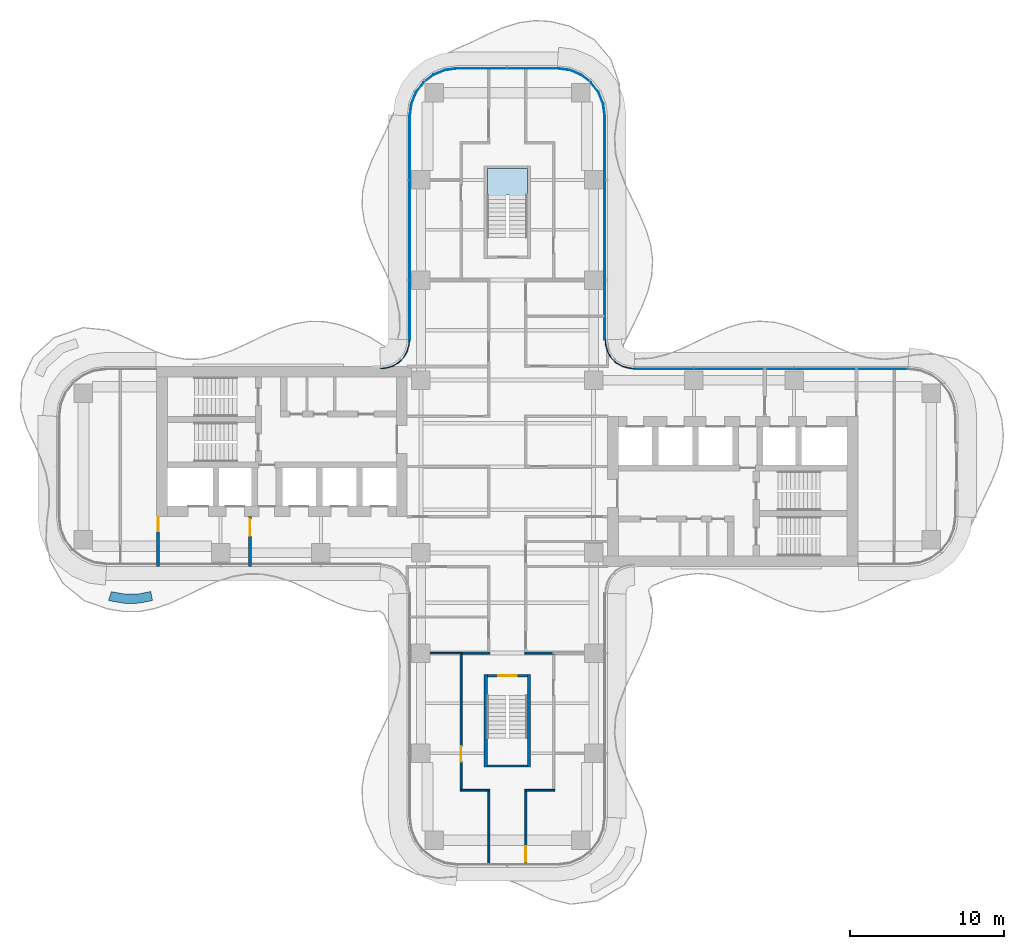
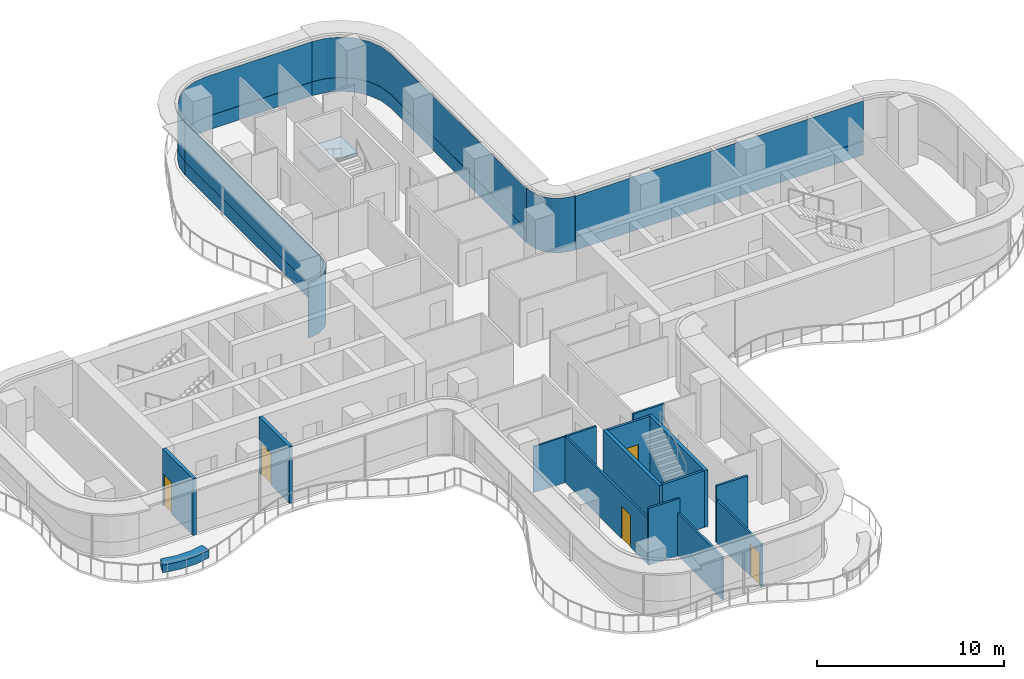
# One storey, part 11 of 17: 15 walls, 10 plates, 5 doors, 1 slab, 5 openings, 7 elements without a shape of their own.
"""IFC4 building model written with IfcOpenShell, lengths in metres."""

from ifc_helpers import new_model, si_unit, direction, frame, frame_2d, origin, place, context, subcontext, project, spatial, polyline, rectangle, outline, extrude, source, transform, mapped, material, layer, layer_set, type_object, element, fill, aggregate, save


model = new_model("IFC4")

# Units and contexts
model_context = context("Model", 3, precision=1e-05, world=origin(), true_north=direction((0.0, 1.0)))
body_context = subcontext(model_context, "Body", "Model", "MODEL_VIEW")
ifc_project = project(units=[si_unit("LENGTHUNIT", "METRE"), si_unit("AREAUNIT", "SQUARE_METRE"), si_unit("VOLUMEUNIT", "CUBIC_METRE"), si_unit("PLANEANGLEUNIT", "RADIAN"), si_unit("MASSUNIT", "GRAM", prefix="KILO")], contexts=[model_context])

# Site, building, storey
site_placement = place(None, origin())
site = spatial("IfcSite", under=ifc_project, at=site_placement, CompositionType="ELEMENT")
building_placement = place(site_placement, origin())
building = spatial("IfcBuilding", under=site, at=building_placement, Name="Trellis Farm Tower", CompositionType="ELEMENT")
storey_placement = place(building_placement, frame((0.0, 0.0, 181.5)))
storey = spatial("IfcBuildingStorey", under=building, at=storey_placement, Name="L39", CompositionType="ELEMENT", Elevation=181.5)

# Stair, slab
ifc_material_1 = material(Name="Concrete C50/60", Category="concrete")
stair_type = type_object("IfcStairType", Name="CORE EXIT STAIR 22 RISERS 177 MM", PredefinedType="HALF_TURN_STAIR", material=ifc_material_1)
placement_1 = place(storey_placement, origin())
stair = element("IfcStair", 1, at=placement_1, inside=storey, type_object=stair_type, Name="Exit stair N", PredefinedType="HALF_TURN_STAIR")
ifc_layer_1 = layer(ifc_material_1, 0.18994140625)
ifc_layer_set_1 = layer_set([ifc_layer_1], Name="CORE STAIR LANDING 190 CONCRETE C50/60")
slab_type = type_object("IfcSlabType", Name="CORE STAIR LANDING 190 CONCRETE C50/60", PredefinedType="LANDING", material=ifc_layer_set_1)
shared_shape_1 = source(origin(), body_context, "Body", "SweptSolid", [
    extrude(outline(polyline([(-0.10009765625, 17.27197265625), (-1.300048828125, 17.27197265625), (-1.300048828125, 17.60009765625), (-1.300048828125, 19.35009765625), (1.300048828125, 19.35009765625), (1.300048828125, 17.60009765625), (1.300048828125, 17.590087890625), (0.10009765625, 17.590087890625), (0.10009765625, 17.60009765625), (-0.10009765625, 17.60009765625), (-0.10009765625, 17.27197265625)])), origin(), (0.0, 0.0, 1.0), 0.18994140625),
])
slab_placement = place(storey_placement, frame((0.0, 0.0, 1.760009765625)))
slab = element("IfcSlab", 2, at=slab_placement, type_object=slab_type, Name="STN landing 1", PredefinedType="LANDING", context=body_context, shape_type="MappedRepresentation", body=[
    mapped(shared_shape_1, transform((0.0, 0.0, 0.0))),
])
aggregate(stair, [slab])

# Curtain wall, plate
ifc_material_2 = material(Name="Aluminium and glass curtain wall", Category="aluminium")
ifc_layer_2 = layer(ifc_material_2, 0.18994140625)
ifc_layer_set_2 = layer_set([ifc_layer_2], Name="RIBBON CURTAIN WALL CW1")
curtain_wall_type_1 = type_object("IfcCurtainWallType", Name="RIBBON CURTAIN WALL CW1", PredefinedType="NOTDEFINED", material=ifc_layer_set_2)
curtain_wall_1 = element("IfcCurtainWall", 3, at=placement_1, inside=storey, type_object=curtain_wall_type_1, Name="CW1 009", PredefinedType="NOTDEFINED")
ifc_material_3 = material(Name="Sandstone faced insulated panel", Category="masonry")
ifc_layer_3 = layer(ifc_material_3, 0.050048828125)
ifc_layer_set_3 = layer_set([ifc_layer_3], Name="CW1 STONE SPANDREL PANEL 50")
plate_type_1 = type_object("IfcPlateType", Name="CW1 STONE SPANDREL PANEL 50", PredefinedType="CURTAIN_PANEL", material=ifc_layer_set_3)
shared_shape_2 = source(origin(), body_context, "Body", "SweptSolid", [
    extrude(outline(polyline([(6.35009765625, 8.2265625), (6.35009765625, 22.740234375), (6.2431640625, 23.552001953125), (5.93359375, 24.29931640625), (5.441162109375, 24.941162109375), (4.79931640625, 25.43359375), (4.052001953125, 25.7431640625), (3.240234375, 25.85009765625), (3.23681640625, 25.800048828125), (4.0390625, 25.6943359375), (4.774169921875, 25.389892578125), (5.405517578125, 24.905517578125), (5.889892578125, 24.274169921875), (6.1943359375, 23.5390625), (6.300048828125, 22.73681640625), (6.300048828125, 8.224853515625), (6.35009765625, 8.2265625)])), origin(), (0.0, 0.0, 1.0), 0.89990234375),
])
plate_1 = element("IfcPlate", 4, at=placement_1, type_object=plate_type_1, Name="PS1 009", PredefinedType="CURTAIN_PANEL", context=body_context, shape_type="MappedRepresentation", body=[
    mapped(shared_shape_2, transform((0.0, 0.0, 0.0))),
])

curtain_wall_2 = element("IfcCurtainWall", 5, at=placement_1, inside=storey, type_object=curtain_wall_type_1, Name="CW1 011", PredefinedType="NOTDEFINED")
shared_shape_3 = source(origin(), body_context, "Body", "SweptSolid", [
    extrude(outline(polyline([(-6.35009765625, 22.740234375), (-6.35009765625, 8.2265625), (-6.300048828125, 8.224853515625), (-6.300048828125, 22.73681640625), (-6.35009765625, 22.740234375)])), origin(), (0.0, 0.0, 1.0), 0.89990234375),
])
plate_2 = element("IfcPlate", 6, at=placement_1, type_object=plate_type_1, Name="PS1 011", PredefinedType="CURTAIN_PANEL", context=body_context, shape_type="MappedRepresentation", body=[
    mapped(shared_shape_3, transform((0.0, 0.0, 0.0))),
])

curtain_wall_3 = element("IfcCurtainWall", 7, at=placement_1, inside=storey, type_object=curtain_wall_type_1, Name="CW1 010", PredefinedType="NOTDEFINED")
shared_shape_4 = source(origin(), body_context, "Body", "SweptSolid", [
    extrude(outline(polyline([(3.240234375, 25.85009765625), (-3.240234375, 25.85009765625), (-4.052001953125, 25.7431640625), (-4.79931640625, 25.43359375), (-5.441162109375, 24.941162109375), (-5.93359375, 24.29931640625), (-6.2431640625, 23.552001953125), (-6.35009765625, 22.740234375), (-6.300048828125, 22.73681640625), (-6.1943359375, 23.5390625), (-5.889892578125, 24.274169921875), (-5.405517578125, 24.905517578125), (-4.774169921875, 25.389892578125), (-4.0390625, 25.6943359375), (-3.23681640625, 25.800048828125), (3.23681640625, 25.800048828125), (3.240234375, 25.85009765625)])), origin(), (0.0, 0.0, 1.0), 0.89990234375),
])
plate_3 = element("IfcPlate", 8, at=placement_1, type_object=plate_type_1, Name="PS1 010", PredefinedType="CURTAIN_PANEL", context=body_context, shape_type="MappedRepresentation", body=[
    mapped(shared_shape_4, transform((0.0, 0.0, 0.0))),
])

curtain_wall_4 = element("IfcCurtainWall", 9, at=placement_1, inside=storey, type_object=curtain_wall_type_1, Name="CW1 008", PredefinedType="NOTDEFINED")
shared_shape_5 = source(origin(), body_context, "Body", "SweptSolid", [
    extrude(outline(polyline([(25.990234375, 6.35009765625), (8.2265625, 6.35009765625), (8.224853515625, 6.300048828125), (25.98681640625, 6.300048828125), (25.990234375, 6.35009765625)])), origin(), (0.0, 0.0, 1.0), 0.89990234375),
])
plate_4 = element("IfcPlate", 10, at=placement_1, type_object=plate_type_1, Name="PS1 008", PredefinedType="CURTAIN_PANEL", context=body_context, shape_type="MappedRepresentation", body=[
    mapped(shared_shape_5, transform((0.0, 0.0, 0.0))),
])

ifc_layer_4 = layer(ifc_material_2, 0.166015625)
ifc_layer_set_4 = layer_set([ifc_layer_4], Name="WINTER GARDEN CURTAIN WALL CW3")
curtain_wall_type_2 = type_object("IfcCurtainWallType", Name="WINTER GARDEN CURTAIN WALL CW3", PredefinedType="NOTDEFINED", material=ifc_layer_set_4)
curtain_wall_5 = element("IfcCurtainWall", 11, at=placement_1, inside=storey, type_object=curtain_wall_type_2, Name="CW3 003", PredefinedType="NOTDEFINED")
ifc_material_4 = material(Name="Clear insulated glass", Category="glass")
ifc_layer_5 = layer(ifc_material_4, 0.0458984375)
ifc_layer_set_5 = layer_set([ifc_layer_5], Name="CW3 GLASS PANEL 46")
plate_type_2 = type_object("IfcPlateType", Name="CW3 GLASS PANEL 46", PredefinedType="CURTAIN_PANEL", material=ifc_layer_set_5)
shared_shape_6 = source(origin(), body_context, "Body", "SweptSolid", [
    extrude(outline(polyline([(8.2275390625, 6.3798828125), (8.0078125, 6.394287109375), (7.89208984375, 6.40966796875), (7.462158203125, 6.52490234375), (7.070556640625, 6.7509765625), (6.7509765625, 7.070556640625), (6.52490234375, 7.462158203125), (6.40966796875, 7.89208984375), (6.394287109375, 8.0078125), (6.3798828125, 8.2275390625), (6.333984375, 8.22607421875), (6.3486328125, 8.003173828125), (6.364501953125, 7.883056640625), (6.48193359375, 7.4443359375), (6.714111328125, 7.04248046875), (7.04248046875, 6.714111328125), (7.4443359375, 6.48193359375), (7.883056640625, 6.364501953125), (8.003173828125, 6.3486328125), (8.22607421875, 6.333984375), (8.2275390625, 6.3798828125)])), origin(), (0.0, 0.0, 1.0), 3.550048828125),
])
plate_5 = element("IfcPlate", 12, at=placement_1, type_object=plate_type_2, Name="PL3 003", PredefinedType="CURTAIN_PANEL", context=body_context, shape_type="MappedRepresentation", body=[
    mapped(shared_shape_6, transform((0.0, 0.0, 0.0))),
])
aggregate(curtain_wall_5, [plate_5])

curtain_wall_6 = element("IfcCurtainWall", 13, at=placement_1, inside=storey, type_object=curtain_wall_type_2, Name="CW3 004", PredefinedType="NOTDEFINED")
shared_shape_7 = source(origin(), body_context, "Body", "SweptSolid", [
    extrude(outline(polyline([(-6.3798828125, 8.2275390625), (-6.394287109375, 8.0078125), (-6.40966796875, 7.89208984375), (-6.52490234375, 7.462158203125), (-6.7509765625, 7.070556640625), (-7.070556640625, 6.7509765625), (-7.462158203125, 6.52490234375), (-7.89208984375, 6.40966796875), (-8.0078125, 6.394287109375), (-8.2275390625, 6.3798828125), (-8.22607421875, 6.333984375), (-8.003173828125, 6.3486328125), (-7.883056640625, 6.364501953125), (-7.4443359375, 6.48193359375), (-7.04248046875, 6.714111328125), (-6.714111328125, 7.04248046875), (-6.48193359375, 7.4443359375), (-6.364501953125, 7.883056640625), (-6.3486328125, 8.003173828125), (-6.333984375, 8.22607421875), (-6.3798828125, 8.2275390625)])), origin(), (0.0, 0.0, 1.0), 3.550048828125),
])
plate_6 = element("IfcPlate", 14, at=placement_1, type_object=plate_type_2, Name="PL3 004", PredefinedType="CURTAIN_PANEL", context=body_context, shape_type="MappedRepresentation", body=[
    mapped(shared_shape_7, transform((0.0, 0.0, 0.0))),
])
aggregate(curtain_wall_6, [plate_6])

# Plate
ifc_layer_6 = layer(ifc_material_4, 0.0400390625)
ifc_layer_set_6 = layer_set([ifc_layer_6], Name="CW1 GLASS PANEL 40")
plate_type_3 = type_object("IfcPlateType", Name="CW1 GLASS PANEL 40", PredefinedType="CURTAIN_PANEL", material=ifc_layer_set_6)
shared_shape_8 = source(origin(), body_context, "Body", "SweptSolid", [
    extrude(outline(polyline([(25.990234375, 6.35009765625), (8.2265625, 6.35009765625), (8.22509765625, 6.31005859375), (25.987548828125, 6.31005859375), (25.990234375, 6.35009765625)])), origin(), (0.0, 0.0, 1.0), 2.6201171875),
])
placement_2 = place(storey_placement, frame((0.0, 0.0, 0.89990234375)))
plate_7 = element("IfcPlate", 15, at=placement_2, type_object=plate_type_3, Name="PL1 008", PredefinedType="CURTAIN_PANEL", context=body_context, shape_type="MappedRepresentation", body=[
    mapped(shared_shape_8, transform((0.0, 0.0, 0.0))),
])

aggregate(curtain_wall_4, [plate_7, plate_4])

shared_shape_9 = source(origin(), body_context, "Body", "SweptSolid", [
    extrude(outline(polyline([(6.35009765625, 8.2265625), (6.35009765625, 22.740234375), (6.2431640625, 23.552001953125), (5.93359375, 24.29931640625), (5.441162109375, 24.941162109375), (4.79931640625, 25.43359375), (4.052001953125, 25.7431640625), (3.240234375, 25.85009765625), (3.237548828125, 25.81005859375), (4.04150390625, 25.7041015625), (4.779296875, 25.398681640625), (5.41259765625, 24.91259765625), (5.898681640625, 24.279296875), (6.2041015625, 23.54150390625), (6.31005859375, 22.737548828125), (6.31005859375, 8.22509765625), (6.35009765625, 8.2265625)])), origin(), (0.0, 0.0, 1.0), 2.6201171875),
])
plate_8 = element("IfcPlate", 16, at=placement_2, type_object=plate_type_3, Name="PL1 009", PredefinedType="CURTAIN_PANEL", context=body_context, shape_type="MappedRepresentation", body=[
    mapped(shared_shape_9, transform((0.0, 0.0, 0.0))),
])

aggregate(curtain_wall_1, [plate_8, plate_1])

shared_shape_10 = source(origin(), body_context, "Body", "SweptSolid", [
    extrude(outline(polyline([(3.240234375, 25.85009765625), (-3.240234375, 25.85009765625), (-4.052001953125, 25.7431640625), (-4.79931640625, 25.43359375), (-5.441162109375, 24.941162109375), (-5.93359375, 24.29931640625), (-6.2431640625, 23.552001953125), (-6.35009765625, 22.740234375), (-6.31005859375, 22.737548828125), (-6.2041015625, 23.54150390625), (-5.898681640625, 24.279296875), (-5.41259765625, 24.91259765625), (-4.779296875, 25.398681640625), (-4.04150390625, 25.7041015625), (-3.237548828125, 25.81005859375), (3.237548828125, 25.81005859375), (3.240234375, 25.85009765625)])), origin(), (0.0, 0.0, 1.0), 2.6201171875),
])
plate_9 = element("IfcPlate", 17, at=placement_2, type_object=plate_type_3, Name="PL1 010", PredefinedType="CURTAIN_PANEL", context=body_context, shape_type="MappedRepresentation", body=[
    mapped(shared_shape_10, transform((0.0, 0.0, 0.0))),
])

aggregate(curtain_wall_3, [plate_9, plate_3])

shared_shape_11 = source(origin(), body_context, "Body", "SweptSolid", [
    extrude(outline(polyline([(-6.35009765625, 22.740234375), (-6.35009765625, 8.2265625), (-6.31005859375, 8.22509765625), (-6.31005859375, 22.737548828125), (-6.35009765625, 22.740234375)])), origin(), (0.0, 0.0, 1.0), 2.6201171875),
])
plate_10 = element("IfcPlate", 18, at=placement_2, type_object=plate_type_3, Name="PL1 011", PredefinedType="CURTAIN_PANEL", context=body_context, shape_type="MappedRepresentation", body=[
    mapped(shared_shape_11, transform((0.0, 0.0, 0.0))),
])

aggregate(curtain_wall_2, [plate_10, plate_2])

# Wall
ifc_material_5 = material(Name="Sandstone faced masonry planter", Category="masonry")
ifc_layer_7 = layer(ifc_material_5, 0.60009765625)
ifc_layer_set_7 = layer_set([ifc_layer_7], Name="PLANTER BED 600")
wall_type_1 = type_object("IfcWallType", Name="PLANTER BED 600", PredefinedType="USERDEFINED", material=ifc_layer_set_7)
element("IfcWall", 19, at=placement_1, inside=storey, type_object=wall_type_1, Name="PLANTER bed", ObjectType="PLANTER", PredefinedType="USERDEFINED", context=body_context, shape_type="SweptSolid", body=[
    extrude(outline(polyline([(-24.820556640625, -8.877197265625), (-25.784912109375, -8.716552734375), (-25.880615234375, -8.683349609375), (-25.683837890625, -8.11669921875), (-24.773681640625, -8.27685546875), (-23.9521484375, -8.268798828125), (-23.1328125, -8.105712890625), (-23.015625, -8.694091796875), (-23.89013671875, -8.868408203125), (-24.820556640625, -8.877197265625)])), origin(), (0.0, 0.0, 1.0), 0.5),
])

# Wall, opening, door
ifc_material_6 = material(Name="Masonry blockwork", Category="masonry")
ifc_layer_8 = layer(ifc_material_6, 0.199951171875)
ifc_layer_set_8 = layer_set([ifc_layer_8], Name="FIRE LOBBY PARTITION 200 BLOCKWORK")
wall_type_2 = type_object("IfcWallType", Name="FIRE LOBBY PARTITION 200 BLOCKWORK", PredefinedType="PARTITIONING", material=ifc_layer_set_8)
shared_shape_12 = source(origin(), body_context, "Body", "SweptSolid", [
    extrude(rectangle(XDim=3.25, YDim=0.199951171875, at=frame_2d((1.625, 0.0))), origin(), (0.0, 0.0, 1.0), 3.699951171875),
])
wall_2_placement = place(storey_placement, frame((-16.699951171875, -3.25, 0.0), z_axis=(0.0, 0.0, 1.0), x_axis=(0.0, -1.0, 0.0)))
wall_2 = element("IfcWall", 20, at=wall_2_placement, inside=storey, type_object=wall_type_2, Name="Fire-fighting lobby partition", PredefinedType="PARTITIONING", context=body_context, shape_type="MappedRepresentation", body=[
    mapped(shared_shape_12, transform((0.0, 0.0, 0.0))),
])
shared_shape_13 = source(origin(), body_context, "Body", "SweptSolid", [
    extrude(rectangle(XDim=1.10009765625, YDim=2.10009765625, at=frame_2d((0.550048828125, 1.050048828125))), frame((0.0, 0.110107421875, 0.0), z_axis=(0.0, -1.0, 0.0), x_axis=(1.0, 0.0, 0.0)), (0.0, 0.0, 1.0), 0.22021484375),
])
opening_1_placement = place(wall_2_placement, frame((0.14990234375, 0.0, 0.0)))
opening_1 = element("IfcOpeningElement", 21, at=opening_1_placement, cuts=wall_2, Name="Opening DC93", PredefinedType="OPENING", context=body_context, shape_type="MappedRepresentation", body=[
    mapped(shared_shape_13, transform((0.0, 0.0, 0.0))),
])
ifc_material_7 = material(Name="Steel", Category="steel")
door_type_1 = type_object("IfcDoorType", Name="CORE FIRE DOOR 1100 X 2100", OperationType="NOTDEFINED", PredefinedType="DOOR", material=ifc_material_7)
shared_shape_14 = source(origin(), body_context, "Body", "SweptSolid", [
    extrude(rectangle(XDim=1.10009765625, YDim=2.10009765625, at=frame_2d((0.550048828125, 1.050048828125))), frame((0.0, 0.02490234375, 0.0), z_axis=(0.0, -1.0, 0.0), x_axis=(1.0, 0.0, 0.0)), (0.0, 0.0, 1.0), 0.050048828125),
])
door_1_placement = place(opening_1_placement, origin())
door_1 = element("IfcDoor", 22, at=door_1_placement, inside=storey, type_object=door_type_1, Name="Core door", OperationType="SINGLE_SWING_RIGHT", OverallHeight=2.10009765625, OverallWidth=1.10009765625, PredefinedType="DOOR", context=body_context, shape_type="MappedRepresentation", body=[
    mapped(shared_shape_14, transform((0.0, 0.0, 0.0))),
])
fill(opening_1, door_1)

wall_3_placement = place(storey_placement, frame((-22.64990234375, -3.25, 0.0), z_axis=(0.0, 0.0, 1.0), x_axis=(0.0, -1.0, 0.0)))
wall_3 = element("IfcWall", 23, at=wall_3_placement, inside=storey, type_object=wall_type_2, Name="Fire-fighting lobby partition", PredefinedType="PARTITIONING", context=body_context, shape_type="MappedRepresentation", body=[
    mapped(shared_shape_12, transform((0.0, 0.0, 0.0))),
])
shared_shape_15 = source(origin(), body_context, "Body", "SweptSolid", [
    extrude(rectangle(XDim=0.89990234375, YDim=2.10009765625, at=frame_2d((0.449951171875, 1.050048828125))), frame((0.0, 0.110107421875, 0.0), z_axis=(0.0, -1.0, 0.0), x_axis=(1.0, 0.0, 0.0)), (0.0, 0.0, 1.0), 0.22021484375),
])
opening_2_placement = place(wall_3_placement, frame((0.050048828125, 0.0, 0.0)))
opening_2 = element("IfcOpeningElement", 24, at=opening_2_placement, cuts=wall_3, Name="Opening DC94", PredefinedType="OPENING", context=body_context, shape_type="MappedRepresentation", body=[
    mapped(shared_shape_15, transform((0.0, 0.0, 0.0))),
])
door_type_2 = type_object("IfcDoorType", Name="CORE FIRE DOOR 900 X 2100", OperationType="NOTDEFINED", PredefinedType="DOOR", material=ifc_material_7)
shared_shape_16 = source(origin(), body_context, "Body", "SweptSolid", [
    extrude(rectangle(XDim=0.89990234375, YDim=2.10009765625, at=frame_2d((0.449951171875, 1.050048828125))), frame((0.0, 0.02490234375, 0.0), z_axis=(0.0, -1.0, 0.0), x_axis=(1.0, 0.0, 0.0)), (0.0, 0.0, 1.0), 0.050048828125),
])
door_2_placement = place(opening_2_placement, origin())
door_2 = element("IfcDoor", 25, at=door_2_placement, inside=storey, type_object=door_type_2, Name="Core door", OperationType="SINGLE_SWING_RIGHT", OverallHeight=2.10009765625, OverallWidth=0.89990234375, PredefinedType="DOOR", context=body_context, shape_type="MappedRepresentation", body=[
    mapped(shared_shape_16, transform((0.0, 0.0, 0.0))),
])
fill(opening_2, door_2)

# Walls
ifc_material_8 = material(Name="Concrete C70/85", Category="concrete")
ifc_layer_9 = layer(ifc_material_8, 0.199951171875)
ifc_layer_set_9 = layer_set([ifc_layer_9], Name="CORE STAIR ENCLOSURE WALL 200 CONCRETE C70/85")
wall_type_3 = type_object("IfcWallType", Name="CORE STAIR ENCLOSURE WALL 200 CONCRETE C70/85", PredefinedType="SHEAR", material=ifc_layer_set_9)
shared_shape_17 = source(origin(), body_context, "Body", "SweptSolid", [
    extrude(rectangle(XDim=6.0, YDim=0.199951171875, at=frame_2d((3.0, 0.0))), origin(), (0.0, 0.0, 1.0), 3.699951171875),
])
for number, where, z_axis, x_axis, name in (
    (26, (1.39990234375, -13.5, 0.0), (0.0, 0.0, 1.0), (0.0, -1.0, 0.0), "Stair enclosure wall"),
    (27, (-1.39990234375, -13.5, 0.0), (0.0, 0.0, 1.0), (0.0, -1.0, 0.0), "Stair enclosure wall"),
):
    element("IfcWall", number, at=place(storey_placement, frame(where, z_axis=z_axis, x_axis=x_axis)), inside=storey, type_object=wall_type_3, Name=name, PredefinedType="SHEAR", context=body_context, shape_type="MappedRepresentation", body=[
        mapped(shared_shape_17, transform((0.0, 0.0, 0.0))),
    ])

# Wall, opening, door
ifc_layer_10 = layer(ifc_material_8, 0.14990234375)
ifc_layer_set_10 = layer_set([ifc_layer_10], Name="CORE STAIR ENCLOSURE WALL 150 CONCRETE C70/85")
wall_type_4 = type_object("IfcWallType", Name="CORE STAIR ENCLOSURE WALL 150 CONCRETE C70/85", PredefinedType="SHEAR", material=ifc_layer_set_10)
shared_shape_18 = source(origin(), body_context, "Body", "SweptSolid", [
    extrude(rectangle(XDim=2.60009765625, YDim=0.14990234375, at=frame_2d((1.300048828125, 0.0))), origin(), (0.0, 0.0, 1.0), 3.699951171875),
])
wall_4_placement = place(storey_placement, frame((1.300048828125, -13.574951171875, 0.0), z_axis=(0.0, 0.0, 1.0), x_axis=(-1.0, 0.0, 0.0)))
wall_4 = element("IfcWall", 28, at=wall_4_placement, inside=storey, type_object=wall_type_4, Name="Stair enclosure wall", PredefinedType="SHEAR", context=body_context, shape_type="MappedRepresentation", body=[
    mapped(shared_shape_18, transform((0.0, 0.0, 0.0))),
])
shared_shape_19 = source(origin(), body_context, "Body", "SweptSolid", [
    extrude(rectangle(XDim=1.199951171875, YDim=2.10009765625, at=frame_2d((0.60009765625, 1.050048828125))), frame((0.0, 0.0849609375, 0.0), z_axis=(0.0, -1.0, 0.0), x_axis=(1.0, 0.0, 0.0)), (0.0, 0.0, 1.0), 0.169921875),
])
opening_3_placement = place(wall_4_placement, frame((0.699951171875, 0.0, 0.0)))
opening_3 = element("IfcOpeningElement", 29, at=opening_3_placement, cuts=wall_4, Name="Opening DC174", PredefinedType="OPENING", context=body_context, shape_type="MappedRepresentation", body=[
    mapped(shared_shape_19, transform((0.0, 0.0, 0.0))),
])
door_type_3 = type_object("IfcDoorType", Name="CORE FIRE DOOR 1200 X 2100", OperationType="NOTDEFINED", PredefinedType="DOOR", material=ifc_material_7)
shared_shape_20 = source(origin(), body_context, "Body", "SweptSolid", [
    extrude(rectangle(XDim=1.199951171875, YDim=2.10009765625, at=frame_2d((0.60009765625, 1.050048828125))), frame((0.0, 0.02490234375, 0.0), z_axis=(0.0, -1.0, 0.0), x_axis=(1.0, 0.0, 0.0)), (0.0, 0.0, 1.0), 0.050048828125),
])
door_3_placement = place(opening_3_placement, origin())
door_3 = element("IfcDoor", 30, at=door_3_placement, inside=storey, type_object=door_type_3, Name="Core door", OperationType="SINGLE_SWING_RIGHT", OverallHeight=2.10009765625, OverallWidth=1.199951171875, PredefinedType="DOOR", context=body_context, shape_type="MappedRepresentation", body=[
    mapped(shared_shape_20, transform((0.0, 0.0, 0.0))),
])
fill(opening_3, door_3)

# Walls
wall_5_placement = place(storey_placement, frame((1.300048828125, -19.425048828125, 0.0), z_axis=(0.0, 0.0, 1.0), x_axis=(-1.0, 0.0, 0.0)))
element("IfcWall", 31, at=wall_5_placement, inside=storey, type_object=wall_type_4, Name="Stair enclosure wall", PredefinedType="SHEAR", context=body_context, shape_type="MappedRepresentation", body=[
    mapped(shared_shape_18, transform((0.0, 0.0, 0.0))),
])
ifc_material_9 = material(Name="Plasterboard on steel studs", Category="steel")
ifc_layer_11 = layer(ifc_material_9, 0.10009765625)
ifc_layer_set_11 = layer_set([ifc_layer_11], Name="PARTITION 100 STUD EI 30")
wall_type_5 = type_object("IfcWallType", Name="PARTITION 100 STUD EI 30", PredefinedType="PARTITIONING", material=ifc_layer_set_11)
shared_shape_21 = source(origin(), body_context, "Body", "SweptSolid", [
    extrude(rectangle(XDim=2.0625, YDim=0.10009765625, at=frame_2d((1.03125, 0.0))), origin(), (0.0, 0.0, 1.0), 2.99658203125),
])
wall_6_placement = place(storey_placement, frame((-5.0, -12.10009765625, 0.0), z_axis=(0.0, 0.0, 1.0), x_axis=(1.0, 0.0, 0.0)))
element("IfcWall", 32, at=wall_6_placement, inside=storey, type_object=wall_type_5, Name="Partition PW2", PredefinedType="PARTITIONING", context=body_context, shape_type="MappedRepresentation", body=[
    mapped(shared_shape_21, transform((0.0, 0.0, 0.0))),
])
ifc_material_10 = material(Name="Plasterboard on steel studs, mineral wool", Category="steel")
ifc_layer_12 = layer(ifc_material_10, 0.125)
ifc_layer_set_12 = layer_set([ifc_layer_12], Name="PARTITION 125 STUD EI 60")
wall_type_6 = type_object("IfcWallType", Name="PARTITION 125 STUD EI 60", PredefinedType="PARTITIONING", material=ifc_layer_set_12)
shared_shape_22 = source(origin(), body_context, "Body", "SweptSolid", [
    extrude(rectangle(XDim=4.737548828125, YDim=0.125, at=frame_2d((2.36865234375, 0.0))), origin(), (0.0, 0.0, 1.0), 2.780029296875),
])
wall_7_placement = place(storey_placement, frame((-1.199951171875, -21.0625, 0.0), z_axis=(0.0, 0.0, 1.0), x_axis=(0.0, -1.0, 0.0)))
element("IfcWall", 33, at=wall_7_placement, inside=storey, type_object=wall_type_6, Name="Partition PW1", PredefinedType="PARTITIONING", context=body_context, shape_type="MappedRepresentation", body=[
    mapped(shared_shape_22, transform((0.0, 0.0, 0.0))),
])

# Wall, opening, door
wall_8_placement = place(storey_placement, frame((1.199951171875, -21.0625, 0.0), z_axis=(0.0, 0.0, 1.0), x_axis=(0.0, -1.0, 0.0)))
wall_8 = element("IfcWall", 34, at=wall_8_placement, inside=storey, type_object=wall_type_6, Name="Partition PW1", PredefinedType="PARTITIONING", context=body_context, shape_type="MappedRepresentation", body=[
    mapped(shared_shape_22, transform((0.0, 0.0, 0.0))),
])
shared_shape_23 = source(origin(), body_context, "Body", "SweptSolid", [
    extrude(rectangle(XDim=1.0, YDim=2.10009765625, at=frame_2d((0.5, 1.050048828125))), frame((0.0, 0.072509765625, 0.0), z_axis=(0.0, -1.0, 0.0), x_axis=(1.0, 0.0, 0.0)), (0.0, 0.0, 1.0), 0.14501953125),
])
opening_4_placement = place(wall_8_placement, frame((3.58740234375, 0.0, 0.0)))
opening_4 = element("IfcOpeningElement", 35, at=opening_4_placement, cuts=wall_8, Name="Opening D101", PredefinedType="OPENING", context=body_context, shape_type="MappedRepresentation", body=[
    mapped(shared_shape_23, transform((0.0, 0.0, 0.0))),
])
ifc_material_11 = material(Name="Fire-rated timber door leaf in a hollow metal frame", Category="wood")
door_type_4 = type_object("IfcDoorType", Name="DOOR 1000x2100 FD30S", OperationType="NOTDEFINED", PredefinedType="DOOR", material=ifc_material_11)
shared_shape_24 = source(origin(), body_context, "Body", "SweptSolid", [
    extrude(rectangle(XDim=1.0, YDim=2.10009765625, at=frame_2d((0.5, 1.050048828125))), frame((0.0, 0.02490234375, 0.0), z_axis=(0.0, -1.0, 0.0), x_axis=(1.0, 0.0, 0.0)), (0.0, 0.0, 1.0), 0.050048828125),
])
door_4_placement = place(opening_4_placement, origin())
door_4 = element("IfcDoor", 36, at=door_4_placement, inside=storey, type_object=door_type_4, Name="Door D101", OperationType="SINGLE_SWING_RIGHT", OverallHeight=2.10009765625, OverallWidth=1.0, PredefinedType="DOOR", context=body_context, shape_type="MappedRepresentation", body=[
    mapped(shared_shape_24, transform((0.0, 0.0, 0.0))),
])
fill(opening_4, door_4)

shared_shape_25 = source(origin(), body_context, "Body", "SweptSolid", [
    extrude(rectangle(XDim=8.78759765625, YDim=0.125, at=frame_2d((4.393798828125, 0.0))), origin(), (0.0, 0.0, 1.0), 2.99658203125),
])
wall_9_placement = place(storey_placement, frame((-3.0, -20.9375, 0.0), z_axis=(0.0, 0.0, 1.0), x_axis=(0.0, 1.0, 0.0)))
wall_9 = element("IfcWall", 37, at=wall_9_placement, inside=storey, type_object=wall_type_6, Name="Partition PW1", PredefinedType="PARTITIONING", context=body_context, shape_type="MappedRepresentation", body=[
    mapped(shared_shape_25, transform((0.0, 0.0, 0.0))),
])
opening_5_placement = place(wall_9_placement, frame((1.78759765625, 0.0, 0.0)))
opening_5 = element("IfcOpeningElement", 38, at=opening_5_placement, cuts=wall_9, Name="Opening D102", PredefinedType="OPENING", context=body_context, shape_type="MappedRepresentation", body=[
    mapped(shared_shape_23, transform((0.0, 0.0, 0.0))),
])
door_5_placement = place(opening_5_placement, origin())
door_5 = element("IfcDoor", 39, at=door_5_placement, inside=storey, type_object=door_type_4, Name="Door D102", OperationType="SINGLE_SWING_LEFT", OverallHeight=2.10009765625, OverallWidth=1.0, PredefinedType="DOOR", context=body_context, shape_type="MappedRepresentation", body=[
    mapped(shared_shape_24, transform((0.0, 0.0, 0.0))),
])
fill(opening_5, door_5)

# Walls
shared_shape_26 = source(origin(), body_context, "Body", "SweptSolid", [
    extrude(rectangle(XDim=1.925048828125, YDim=0.125, at=frame_2d((0.96240234375, 0.0))), origin(), (0.0, 0.0, 1.0), 3.699951171875),
])
for number, where, z_axis, x_axis, name in (
    (40, (-1.137451171875, -21.0, 0.0), (0.0, 0.0, 1.0), (-1.0, 0.0, 0.0), "Partition PW1"),
    (41, (3.0625, -21.0, 0.0), (0.0, 0.0, 1.0), (-1.0, 0.0, 0.0), "Partition PW1"),
):
    element("IfcWall", number, at=place(storey_placement, frame(where, z_axis=z_axis, x_axis=x_axis)), inside=storey, type_object=wall_type_6, Name=name, PredefinedType="PARTITIONING", context=body_context, shape_type="MappedRepresentation", body=[
        mapped(shared_shape_26, transform((0.0, 0.0, 0.0))),
    ])
shared_shape_27 = source(origin(), body_context, "Body", "SweptSolid", [
    extrude(rectangle(XDim=1.925048828125, YDim=0.125, at=frame_2d((0.96240234375, 0.0))), origin(), (0.0, 0.0, 1.0), 2.99658203125),
])
for number, where, z_axis, x_axis, name in (
    (42, (-3.0625, -12.10009765625, 0.0), (0.0, 0.0, 1.0), (1.0, 0.0, 0.0), "Partition PW1"),
    (43, (1.137451171875, -12.10009765625, 0.0), (0.0, 0.0, 1.0), (1.0, 0.0, 0.0), "Partition PW1"),
):
    element("IfcWall", number, at=place(storey_placement, frame(where, z_axis=z_axis, x_axis=x_axis)), inside=storey, type_object=wall_type_6, Name=name, PredefinedType="PARTITIONING", context=body_context, shape_type="MappedRepresentation", body=[
        mapped(shared_shape_27, transform((0.0, 0.0, 0.0))),
    ])

save(model, "model.ifc")
